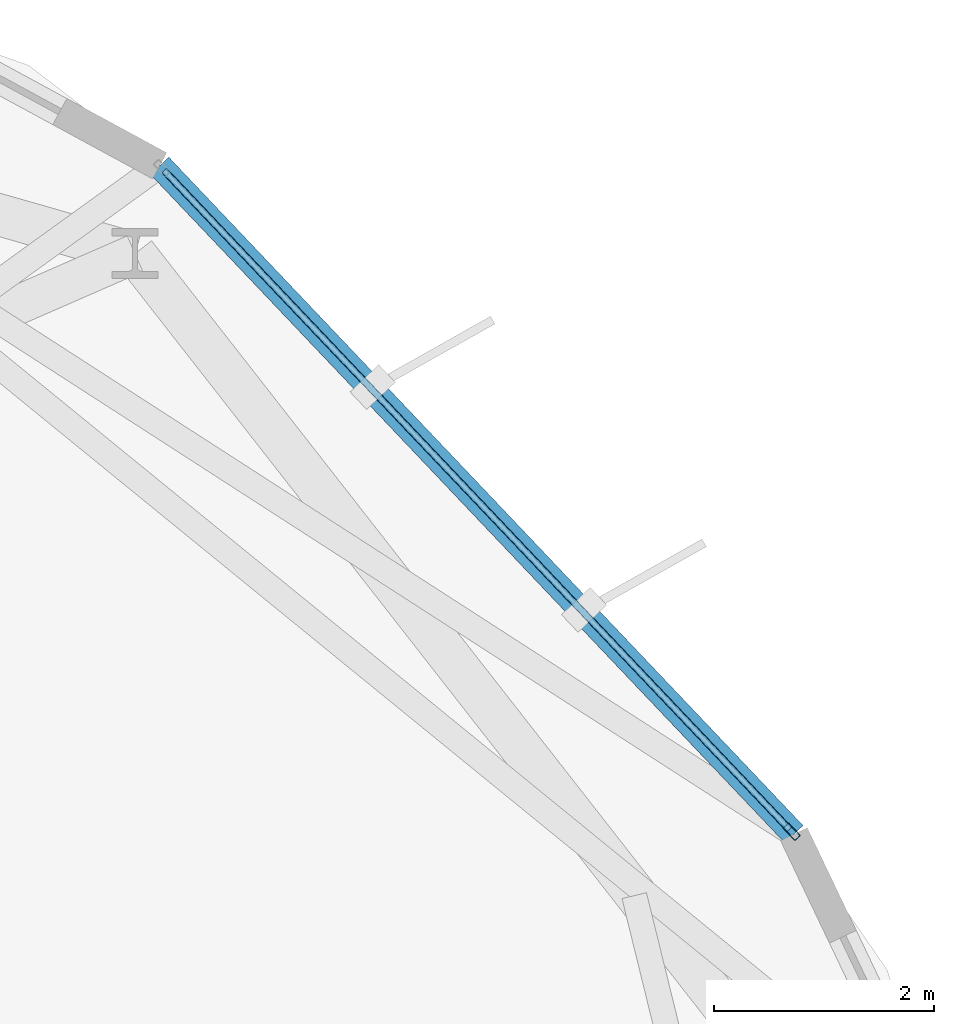
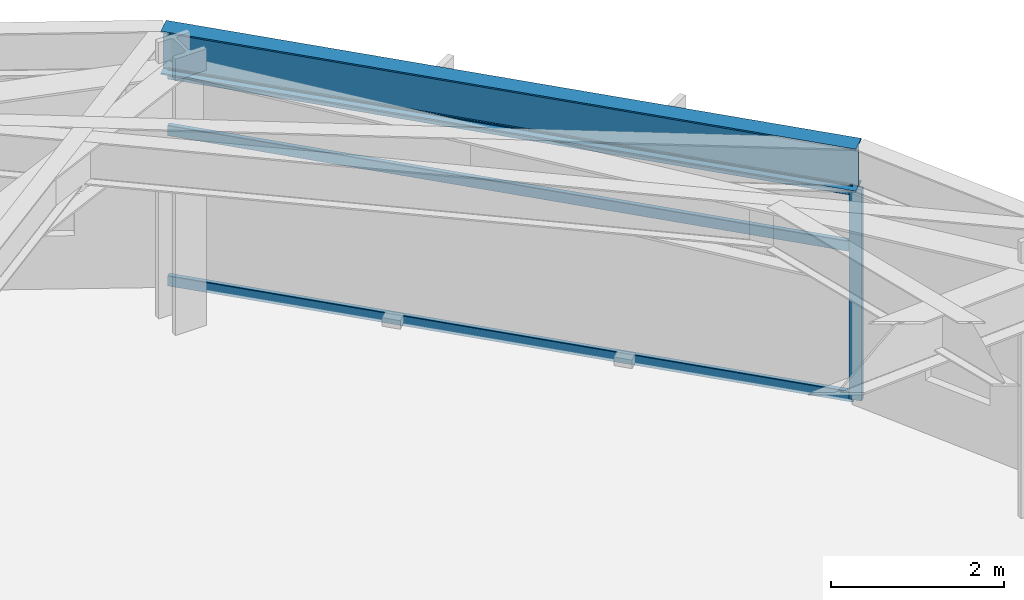
# One storey, part 14 of 25: 4 members, 1 beam, 1 element without a shape of its own.
"""IFC4 building model written with IfcOpenShell, lengths in metres."""

from ifc_helpers import new_model, si_unit, direction, frame, origin, origin_2d, place, context, subcontext, project, spatial, hollow_rectangle, i_section, extrude, material, layer, layer_set, material_profile, profile_set, type_object, element, aggregate, save


model = new_model("IFC4")

# Units and contexts
model_context = context("Model", 3, precision=1e-05, world=origin(), true_north=direction((0.0, 1.0)))
body_context = subcontext(model_context, "Body", "Model", "MODEL_VIEW")
ifc_project = project(units=[si_unit("LENGTHUNIT", "METRE"), si_unit("AREAUNIT", "SQUARE_METRE"), si_unit("VOLUMEUNIT", "CUBIC_METRE"), si_unit("PLANEANGLEUNIT", "RADIAN"), si_unit("MASSUNIT", "GRAM", prefix="KILO")], contexts=[model_context])

# Site, building, storey
site_placement = place(None, origin())
site = spatial("IfcSite", under=ifc_project, at=site_placement, CompositionType="ELEMENT")
building_placement = place(site_placement, origin())
building = spatial("IfcBuilding", under=site, at=building_placement, Name="Soratama Intermodal Tower", CompositionType="ELEMENT")
storey_placement = place(building_placement, frame((0.0, 0.0, 126.39990234375)))
storey = spatial("IfcBuildingStorey", under=building, at=storey_placement, Name="L30", CompositionType="ELEMENT", Elevation=126.39990234375)

# Beam
ifc_material_1 = material(Name="Structural steel ASTM A992 Grade 50", Category="steel")
ifc_material_profile_1 = material_profile(ifc_material_1, i_section(OverallWidth=0.22900390625, OverallDepth=0.612060546875, WebThickness=0.011962890625, FlangeThickness=0.01953125, FilletRadius=0.012939453125, at=origin_2d()), Name="W24X84")
ifc_profile_set_1 = profile_set([ifc_material_profile_1], Name="Structural steel ASTM A992 Grade 50")
beam_type = type_object("IfcBeamType", Name="BM-SPN-W24X84", PredefinedType="SPANDREL", material=ifc_profile_set_1)
beam_placement = place(storey_placement, frame((60.72509765625, 34.14404296875, 3.294189453125), z_axis=(-0.688372818346, 0.725357058946, 0.0), x_axis=(-0.725357058946, -0.688372818346, 0.0)))
element("IfcBeam", 1, at=beam_placement, inside=storey, type_object=beam_type, Name="BS-L30-F01", PredefinedType="SPANDREL", context=body_context, shape_type="SweptSolid", body=[
    extrude(i_section(OverallWidth=0.22900390625, OverallDepth=0.612060546875, WebThickness=0.011962890625, FlangeThickness=0.01953125, FilletRadius=0.012939453125, at=origin_2d()), origin(), (0.0, 0.0, 1.0), 8.383544921875),
])

# Curtain wall, members
ifc_material_2 = material(Name="Double-glazed aluminium curtain wall", Category="aluminium")
ifc_layer = layer(ifc_material_2, 0.159912109375)
ifc_layer_set = layer_set([ifc_layer], Name="Double-glazed aluminium curtain wall")
curtain_wall_type = type_object("IfcCurtainWallType", Name="CW-SYS-3", PredefinedType="NOTDEFINED", material=ifc_layer_set)
curtain_wall_placement = place(storey_placement, origin())
curtain_wall = element("IfcCurtainWall", 2, at=curtain_wall_placement, inside=storey, type_object=curtain_wall_type, Name="L30 Faceted Curtain Wall F01", PredefinedType="NOTDEFINED")
ifc_material_3 = material(Name="Anodised aluminium AA 6063-T6", Category="aluminium")
ifc_material_profile_2 = material_profile(ifc_material_3, hollow_rectangle(XDim=0.070068359375, YDim=0.159912109375, WallThickness=0.0048828125, InnerFilletRadius=0.0048828125, OuterFilletRadius=0.010009765625, at=origin_2d()), Name="CWM160X70X5")
ifc_profile_set_2 = profile_set([ifc_material_profile_2], Name="Anodised aluminium AA 6063-T6")
member_type_1 = type_object("IfcMemberType", Name="MT-CWM-3", PredefinedType="MULLION", material=ifc_profile_set_2)
member_1_placement = place(storey_placement, frame((60.70458984375, 34.165771484375, 0.0), z_axis=(0.0, 0.0, 1.0), x_axis=(-0.725376951302, -0.688351856626, 0.0)))
member_1 = element("IfcMember", 3, at=member_1_placement, type_object=member_type_1, Name="CW-3 mullion 1", PredefinedType="MULLION", context=body_context, shape_type="SweptSolid", body=[
    extrude(hollow_rectangle(XDim=0.070068359375, YDim=0.159912109375, WallThickness=0.0048828125, InnerFilletRadius=0.0048828125, OuterFilletRadius=0.010009765625, at=origin_2d()), origin(), (0.0, 0.0, 1.0), 2.97900390625),
])
ifc_material_4 = material(Name="Anodised aluminium AA 6063-T6", Category="aluminium")
ifc_material_profile_3 = material_profile(ifc_material_4, hollow_rectangle(XDim=0.06494140625, YDim=0.14990234375, WallThickness=0.0048828125, InnerFilletRadius=0.0048828125, OuterFilletRadius=0.010009765625, at=origin_2d()), Name="CWT150X65X5")
ifc_profile_set_3 = profile_set([ifc_material_profile_3], Name="Anodised aluminium AA 6063-T6")
member_type_2 = type_object("IfcMemberType", Name="TT-CWT-1", PredefinedType="USERDEFINED", material=ifc_profile_set_3)
member_2_placement = place(storey_placement, frame((60.683837890625, 34.1875, 0.030029296875), z_axis=(-0.688354917038, 0.725374047089, 0.0), x_axis=(-0.725374047089, -0.688354917038, 0.0)))
member_2 = element("IfcMember", 4, at=member_2_placement, type_object=member_type_2, Name="CW-3 transom 1.1", ObjectType="TRANSOM", PredefinedType="USERDEFINED", context=body_context, shape_type="SweptSolid", body=[
    extrude(hollow_rectangle(XDim=0.06494140625, YDim=0.14990234375, WallThickness=0.0048828125, InnerFilletRadius=0.0048828125, OuterFilletRadius=0.010009765625, at=origin_2d()), origin(), (0.0, 0.0, 1.0), 8.263427734375),
])
member_3_placement = place(storey_placement, frame((60.683837890625, 34.1875, 2.150146484375), z_axis=(-0.688354917038, 0.725374047089, 0.0), x_axis=(-0.725374047089, -0.688354917038, 0.0)))
member_3 = element("IfcMember", 5, at=member_3_placement, type_object=member_type_2, Name="CW-3 transom 1.2", ObjectType="TRANSOM", PredefinedType="USERDEFINED", context=body_context, shape_type="SweptSolid", body=[
    extrude(hollow_rectangle(XDim=0.06494140625, YDim=0.14990234375, WallThickness=0.0048828125, InnerFilletRadius=0.0048828125, OuterFilletRadius=0.010009765625, at=origin_2d()), origin(), (0.0, 0.0, 1.0), 8.263427734375),
])
member_4_placement = place(storey_placement, frame((60.683837890625, 34.1875, 2.94921875), z_axis=(-0.688354917038, 0.725374047089, 0.0), x_axis=(-0.725374047089, -0.688354917038, 0.0)))
member_4 = element("IfcMember", 6, at=member_4_placement, type_object=member_type_2, Name="CW-3 transom 1.3", ObjectType="TRANSOM", PredefinedType="USERDEFINED", context=body_context, shape_type="SweptSolid", body=[
    extrude(hollow_rectangle(XDim=0.06494140625, YDim=0.14990234375, WallThickness=0.0048828125, InnerFilletRadius=0.0048828125, OuterFilletRadius=0.010009765625, at=origin_2d()), origin(), (0.0, 0.0, 1.0), 8.263427734375),
])
aggregate(curtain_wall, [member_1, member_2, member_3, member_4])

save(model, "model.ifc")
